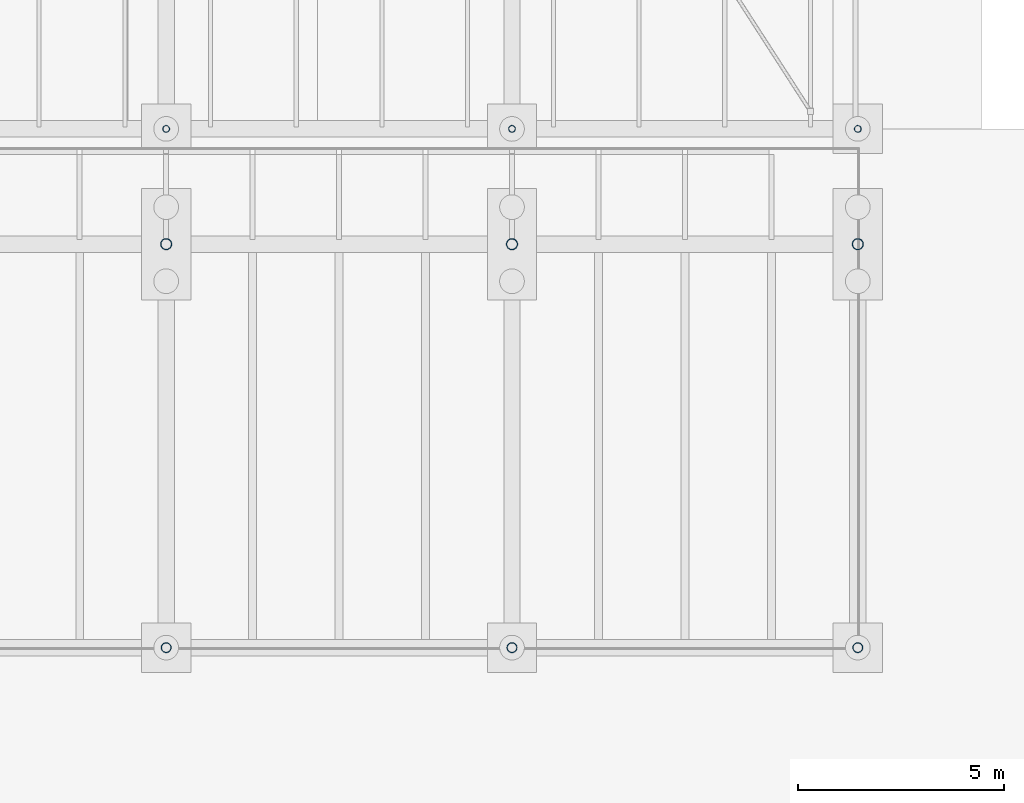
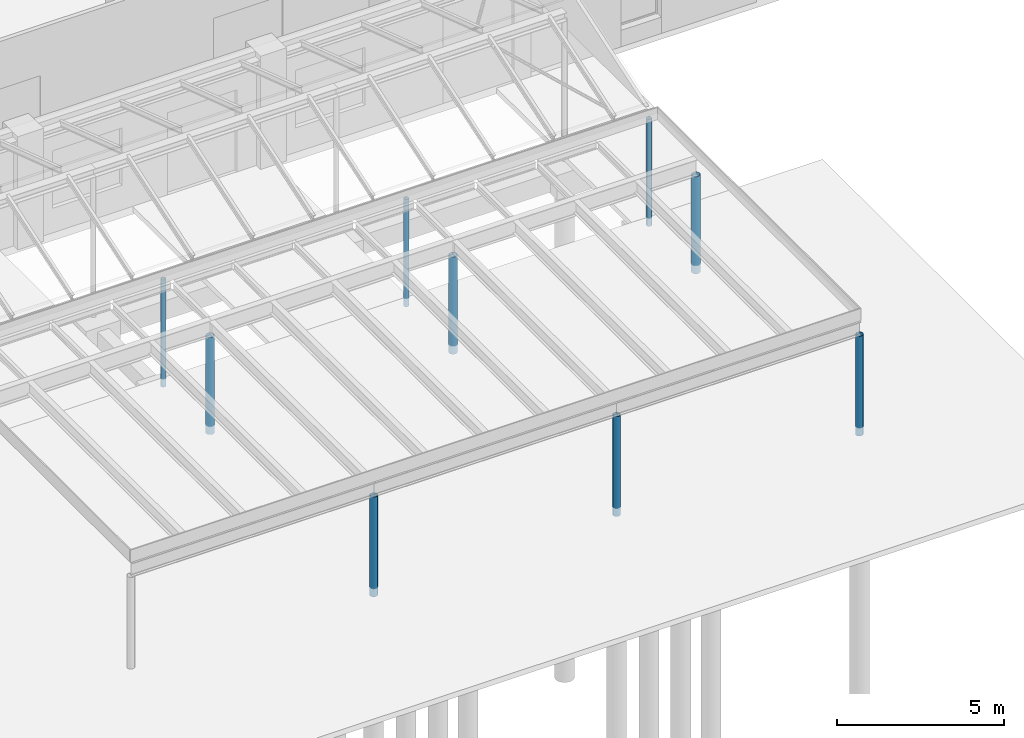
# One storey, part 8 of 138: 9 columns.
"""IFC4 building model written with IfcOpenShell, lengths in metres."""

from ifc_helpers import new_model, si_unit, direction, frame, origin, origin_2d, place, context, subcontext, project, spatial, hollow_circle, extrude, material, material_profile, profile_set, type_object, element, save


model = new_model("IFC4")

# Units and contexts
model_context = context("Model", 3, precision=1e-05, world=origin(), true_north=direction((0.0, 1.0)))
body_context = subcontext(model_context, "Body", "Model", "MODEL_VIEW")
ifc_project = project(units=[si_unit("LENGTHUNIT", "METRE"), si_unit("AREAUNIT", "SQUARE_METRE"), si_unit("VOLUMEUNIT", "CUBIC_METRE"), si_unit("PLANEANGLEUNIT", "RADIAN"), si_unit("MASSUNIT", "GRAM", prefix="KILO")], contexts=[model_context])

# Site, building, storey
site_placement = place(None, origin())
site = spatial("IfcSite", under=ifc_project, at=site_placement, CompositionType="ELEMENT")
building_placement = place(site_placement, origin())
building = spatial("IfcBuilding", under=site, at=building_placement, Name="Yavir Park General Hospital", CompositionType="ELEMENT")
storey_placement = place(building_placement, origin())
storey = spatial("IfcBuildingStorey", under=building, at=storey_placement, Name="L00", CompositionType="ELEMENT", Elevation=0.0)

# Columns
ifc_material_1 = material(Name="Steel S355", Category="steel")
ifc_material_profile_1 = material_profile(ifc_material_1, hollow_circle(Radius=0.084228515625, WallThickness=0.008056640625, at=origin_2d()), Name="CHS168.3x8")
ifc_profile_set_1 = profile_set([ifc_material_profile_1], Name="Steel S355")
column_type_1 = type_object("IfcColumnType", Name="CHS 168.3x8 roof post", PredefinedType="COLUMN", material=ifc_profile_set_1)
for number, where, z_axis, x_axis, name in (
    (1, (84.0, -8.39990234375, -0.300048828125), (0.0, 0.0, 1.0), (1.0, 0.0, 0.0), "C:PORCH:S1"),
    (2, (92.39990234375, -8.39990234375, -0.300048828125), (0.0, 0.0, 1.0), (1.0, 0.0, 0.0), "C:PORCH:S2"),
    (3, (100.800048828125, -8.39990234375, -0.300048828125), (0.0, 0.0, 1.0), (1.0, 0.0, 0.0), "C:PORCH:S3"),
):
    element("IfcColumn", number, at=place(storey_placement, frame(where, z_axis=z_axis, x_axis=x_axis)), inside=storey, type_object=column_type_1, Name=name, PredefinedType="COLUMN", context=body_context, shape_type="SweptSolid", body=[
        extrude(hollow_circle(Radius=0.084228515625, WallThickness=0.008056640625, at=origin_2d()), origin(), (0.0, 0.0, 1.0), 3.9169921875),
    ])
ifc_material_2 = material(Name="Steel S355", Category="steel")
ifc_material_profile_2 = material_profile(ifc_material_2, hollow_circle(Radius=0.122314453125, WallThickness=0.010009765625, at=origin_2d()), Name="CHS244.5x10")
ifc_profile_set_2 = profile_set([ifc_material_profile_2], Name="Steel S355")
column_type_2 = type_object("IfcColumnType", Name="CHS 244.5x10 outer column", PredefinedType="COLUMN", material=ifc_profile_set_2)
for number, where, z_axis, x_axis, name in (
    (4, (84.0, -21.0, -0.300048828125), (0.0, 0.0, 1.0), (1.0, 0.0, 0.0), "C:DROP:11"),
    (5, (92.39990234375, -21.0, -0.300048828125), (0.0, 0.0, 1.0), (1.0, 0.0, 0.0), "C:DROP:12"),
    (6, (100.800048828125, -21.0, -0.300048828125), (0.0, 0.0, 1.0), (1.0, 0.0, 0.0), "C:DROP:13"),
):
    element("IfcColumn", number, at=place(storey_placement, frame(where, z_axis=z_axis, x_axis=x_axis)), inside=storey, type_object=column_type_2, Name=name, PredefinedType="COLUMN", context=body_context, shape_type="SweptSolid", body=[
        extrude(hollow_circle(Radius=0.122314453125, WallThickness=0.010009765625, at=origin_2d()), origin(), (0.0, 0.0, 1.0), 3.650146484375),
    ])
ifc_material_3 = material(Name="Steel S355", Category="steel")
ifc_material_profile_3 = material_profile(ifc_material_3, hollow_circle(Radius=0.136474609375, WallThickness=0.012451171875, at=origin_2d()), Name="CHS273x12.5")
ifc_profile_set_3 = profile_set([ifc_material_profile_3], Name="Steel S355")
column_type_3 = type_object("IfcColumnType", Name="CHS 273x12.5 column", PredefinedType="COLUMN", material=ifc_profile_set_3)
for number, where, z_axis, x_axis, name in (
    (7, (84.0, -11.199951171875, -0.300048828125), (0.0, 0.0, 1.0), (1.0, 0.0, 0.0), "C:DROP:01"),
    (8, (92.39990234375, -11.199951171875, -0.300048828125), (0.0, 0.0, 1.0), (1.0, 0.0, 0.0), "C:DROP:02"),
    (9, (100.800048828125, -11.199951171875, -0.300048828125), (0.0, 0.0, 1.0), (1.0, 0.0, 0.0), "C:DROP:03"),
):
    element("IfcColumn", number, at=place(storey_placement, frame(where, z_axis=z_axis, x_axis=x_axis)), inside=storey, type_object=column_type_3, Name=name, PredefinedType="COLUMN", context=body_context, shape_type="SweptSolid", body=[
        extrude(hollow_circle(Radius=0.136474609375, WallThickness=0.012451171875, at=origin_2d()), origin(), (0.0, 0.0, 1.0), 3.550048828125),
    ])

save(model, "model.ifc")
